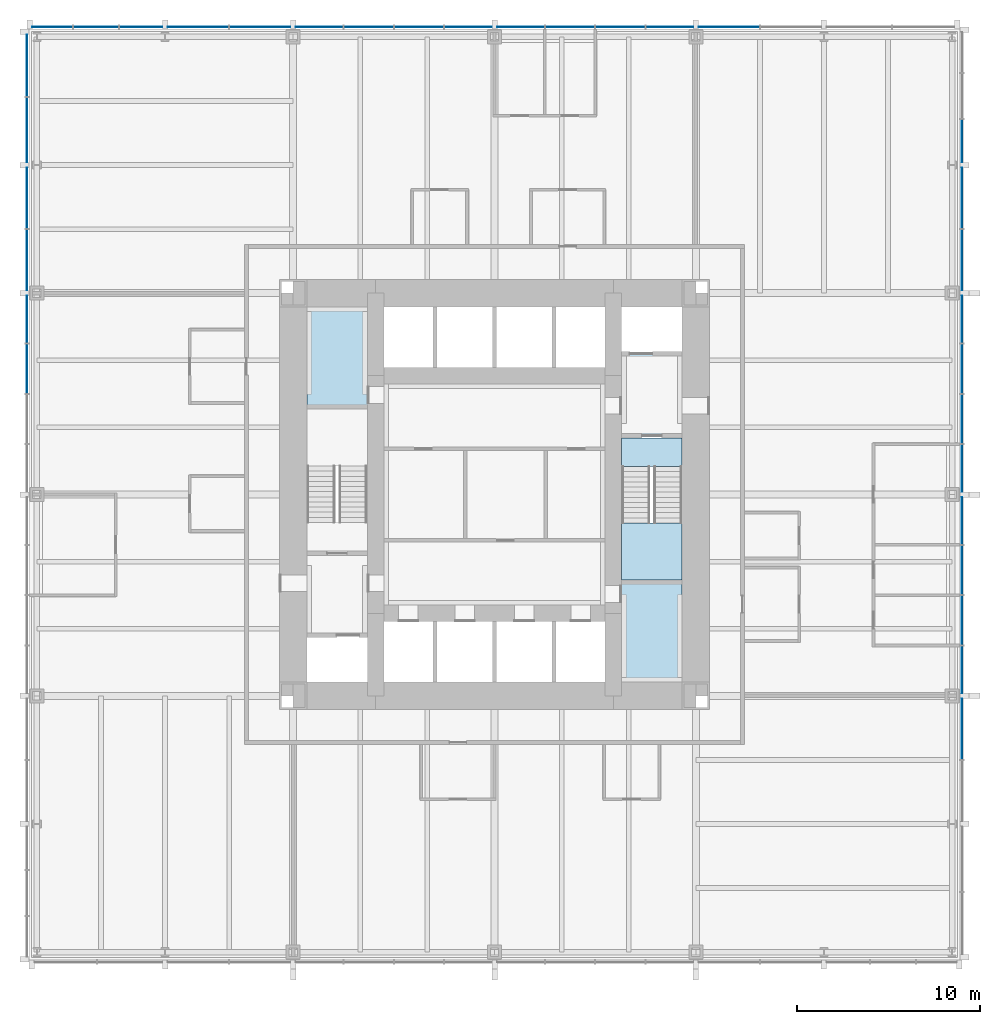
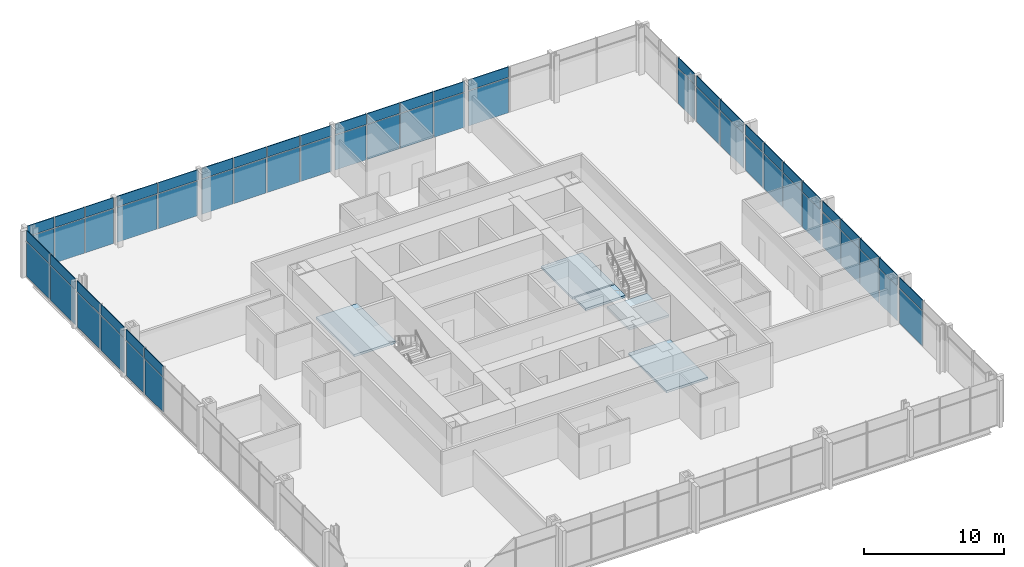
# One storey, part 8 of 12: 64 plates, 5 slabs, 4 elements without a shape of their own.
"""IFC4 building model written with IfcOpenShell, lengths in metres."""

import ifcopenshell
import ifcopenshell.guid

model = None  # the IFC model being written
_history = None  # IfcOwnerHistory: only IFC2X3 demands one
_inside = {}  # id of a spatial element -> (the spatial element, [elements in it])
_under = {}  # id of a project, library or spatial element -> (it, [spatial elements below it])
_declared = {}  # id of a project -> (the project, [libraries it declares])
_typed = {}  # id of a type object -> (the type object, [elements of that type])
_made_of = {}  # id of a material, layer set ... -> (it, [elements and type objects made of it])


def new_model(schema):
    """Start an empty IFC model of exactly this schema.

    Asked for "IFC4X3", IfcOpenShell would pick the latest addendum, in which some entities
    have other attributes; the version numbers below select the first issue.
    IFC2X3 requires an IfcOwnerHistory on every rooted entity: one is made here for all.
    """
    global model, _history
    if schema == "IFC4X3":
        model = ifcopenshell.file(schema_version=(4, 3, 0, 0))
    else:
        model = ifcopenshell.file(schema=schema)
    _inside.clear()
    _under.clear()
    _declared.clear()
    _typed.clear()
    _made_of.clear()
    _history = None
    if model.schema == "IFC2X3":
        org = make("IfcOrganization", Name="unknown")
        user = make(
            "IfcPersonAndOrganization",
            ThePerson=make("IfcPerson", FamilyName="unknown"),
            TheOrganization=org,
        )
        app = make(
            "IfcApplication",
            ApplicationDeveloper=org,
            Version="unknown",
            ApplicationFullName="unknown",
            ApplicationIdentifier="unknown",
        )
        _history = make(
            "IfcOwnerHistory",
            OwningUser=user,
            OwningApplication=app,
            ChangeAction="ADDED",
            CreationDate=0,
        )
    return model


def make(cls, **values):
    """One entity of the class cls with the attributes given. An attribute that is None is left unset."""
    return model.create_entity(
        cls, **{name: value for name, value in values.items() if value is not None}
    )


def rooted(cls, **values):
    """An entity with a GlobalId (a new one), such as an element, a storey or a relation."""
    return make(cls, GlobalId=ifcopenshell.guid.new(), OwnerHistory=_history, **values)


def si_unit(unit_type, name, prefix=None):
    """IfcSIUnit, for example si_unit("LENGTHUNIT", "METRE", prefix="MILLI")."""
    return make("IfcSIUnit", UnitType=unit_type, Prefix=prefix, Name=name)


def assignment(units):
    """IfcUnitAssignment: the units of a project."""
    return None if units is None else make("IfcUnitAssignment", Units=units)


def point(xyz):
    """IfcCartesianPoint."""
    return None if xyz is None else make("IfcCartesianPoint", Coordinates=xyz)


def direction(xyz):
    """IfcDirection."""
    return None if xyz is None else make("IfcDirection", DirectionRatios=xyz)


def frame(location, z_axis=None, x_axis=None):
    """IfcAxis2Placement3D, a coordinate frame: its origin and axes. An axis left out is left unset."""
    return make(
        "IfcAxis2Placement3D",
        Location=point(location),
        Axis=direction(z_axis),
        RefDirection=direction(x_axis),
    )


def frame_2d(location, x_axis=None):
    """IfcAxis2Placement2D, a coordinate frame in the plane: its origin and x axis."""
    return make(
        "IfcAxis2Placement2D", Location=point(location), RefDirection=direction(x_axis)
    )


def origin():
    """The frame at (0, 0, 0) with its axes left unset."""
    return frame((0.0, 0.0, 0.0))


def origin_2d():
    """The frame at (0, 0) in the plane with its x axis left unset."""
    return frame_2d((0.0, 0.0))


def place(relative_to, where):
    """IfcLocalPlacement: puts the frame where relative to a parent placement (None: the world)."""
    return make(
        "IfcLocalPlacement", PlacementRelTo=relative_to, RelativePlacement=where
    )


def context(
    kind, dimensions, precision=None, world=None, true_north=None, identifier=None
):
    """IfcGeometricRepresentationContext, for example the 3D "Model" context."""
    return make(
        "IfcGeometricRepresentationContext",
        ContextIdentifier=identifier,
        ContextType=kind,
        CoordinateSpaceDimension=dimensions,
        Precision=precision,
        WorldCoordinateSystem=world,
        TrueNorth=true_north,
    )


def subcontext(parent, identifier, kind, view, scale=None):
    """IfcGeometricRepresentationSubContext, for example "Body" below "Model"."""
    return make(
        "IfcGeometricRepresentationSubContext",
        ContextIdentifier=identifier,
        ContextType=kind,
        ParentContext=parent,
        TargetScale=scale,
        TargetView=view,
    )


def project(units=None, contexts=None):
    """IfcProject with its units and contexts."""
    return rooted(
        "IfcProject",
        Name="project",
        RepresentationContexts=contexts,
        UnitsInContext=assignment(units),
    )


def spatial(cls, under=None, at=None, **own):
    """A site, building, storey or space (cls), placed at a placement, below another one or the project."""
    s = rooted(cls, ObjectPlacement=at, **own)
    if under is not None:
        _under.setdefault(under.id(), (under, []))[1].append(s)
    return s


def polyline(points):
    """IfcPolyline through the points."""
    return make("IfcPolyline", Points=[point(p) for p in points])


def profile(cls, at=None, kind="AREA", **sizes):
    """A parametric profile (cls). Its sizes go by their IFC names, for example OverallWidth=200.0."""
    return make(cls, ProfileType=kind, Position=at, **sizes)


def rectangle(**sizes):
    """IfcRectangleProfileDef."""
    return profile("IfcRectangleProfileDef", **sizes)


def outline(outer, holes=None, kind="AREA"):
    """IfcArbitraryClosedProfileDef: a profile drawn as a closed curve; with holes, ...WithVoids."""
    if holes is None:
        return make("IfcArbitraryClosedProfileDef", ProfileType=kind, OuterCurve=outer)
    return make(
        "IfcArbitraryProfileDefWithVoids",
        ProfileType=kind,
        OuterCurve=outer,
        InnerCurves=holes,
    )


def extrude(swept, where, along, depth):
    """IfcExtrudedAreaSolid: the profile swept, set in the frame where, extruded along a direction by depth."""
    return make(
        "IfcExtrudedAreaSolid",
        SweptArea=swept,
        Position=where,
        ExtrudedDirection=direction(along),
        Depth=depth,
    )


def shape(context_of_items, identifier, shape_type, items):
    """IfcShapeRepresentation: the items that make up one representation, for example the "Body"."""
    return make(
        "IfcShapeRepresentation",
        ContextOfItems=context_of_items,
        RepresentationIdentifier=identifier,
        RepresentationType=shape_type,
        Items=items,
    )


def material(Name=None, Category=None):
    """IfcMaterial."""
    return make("IfcMaterial", Name=Name, Category=Category)


def layer(
    of_material, thickness, ventilated=None, Name=None, Category=None, Priority=None
):
    """IfcMaterialLayer: one layer of a wall or slab, of a material (None: an air gap)."""
    return make(
        "IfcMaterialLayer",
        Material=of_material,
        LayerThickness=thickness,
        IsVentilated=ventilated,
        Name=Name,
        Category=Category,
        Priority=Priority,
    )


def layer_set(layers, Name=None):
    """IfcMaterialLayerSet."""
    return make("IfcMaterialLayerSet", MaterialLayers=layers, LayerSetName=Name)


def made_of(thing, what):
    """Note that an element or type object is made of a material, layer set ...; save() writes the relation."""
    if what is not None:
        _made_of.setdefault(what.id(), (what, []))[1].append(thing)
    return thing


def type_object(cls, material=None, **own):
    """A type object (cls), such as IfcWallType, which elements share."""
    return made_of(rooted(cls, **own), material)


def element(
    cls,
    number,
    at=None,
    inside=None,
    cuts=None,
    type_object=None,
    material=None,
    context=None,
    identifier="Body",
    shape_type=None,
    held_by="IfcProductDefinitionShape",
    body=None,
    shapes=None,
    **own,
):
    """One element of the class cls, such as IfcWall. Its Tag is "e" and its number.

    at: its placement. inside: the storey or other place that contains it. cuts: it is an
    opening in that element (IfcRelVoidsElement). A single representation is given by context,
    identifier, shape_type and body (its items); several are given by shapes. held_by: the class
    of the entity that holds the representations. save() writes the other relations.
    """
    e = rooted(cls, Tag="e%d" % number, ObjectPlacement=at, **own)
    if body is not None:
        shapes = [shape(context, identifier, shape_type, body)]
    if shapes is not None:
        e.Representation = make(held_by, Representations=shapes)
    if inside is not None:
        _inside.setdefault(inside.id(), (inside, []))[1].append(e)
    if cuts is not None:
        rooted(
            "IfcRelVoidsElement", RelatingBuildingElement=cuts, RelatedOpeningElement=e
        )
    if type_object is not None:
        _typed.setdefault(type_object.id(), (type_object, []))[1].append(e)
    return made_of(e, material)


def aggregate(whole, parts):
    """IfcRelAggregates: a whole, such as a stair, and the parts it consists of."""
    return rooted("IfcRelAggregates", RelatingObject=whole, RelatedObjects=parts)


def save(model, path):
    """Write the relations noted so far, then the file.

    IfcRelAggregates (storeys below a building ...), IfcRelContainedInSpatialStructure (elements
    in a storey), IfcRelDefinesByType, IfcRelAssociatesMaterial and IfcRelDeclares: one each for
    every whole, place, type object, material and project.
    """
    for whole, parts in _under.values():
        aggregate(whole, parts)
    for where, things in _inside.values():
        rooted(
            "IfcRelContainedInSpatialStructure",
            RelatedElements=things,
            RelatingStructure=where,
        )
    for kind, things in _typed.values():
        rooted("IfcRelDefinesByType", RelatedObjects=things, RelatingType=kind)
    for what, things in _made_of.values():
        rooted("IfcRelAssociatesMaterial", RelatedObjects=things, RelatingMaterial=what)
    for by, libraries in _declared.values():
        rooted("IfcRelDeclares", RelatingContext=by, RelatedDefinitions=libraries)
    model.write(path)


model = new_model("IFC4")

# Units and contexts
model_context = context("Model", 3, precision=1e-05, world=origin(), true_north=direction((0.0, 1.0)))
body_context = subcontext(model_context, "Body", "Model", "MODEL_VIEW")
ifc_project = project(units=[si_unit("LENGTHUNIT", "METRE"), si_unit("AREAUNIT", "SQUARE_METRE"), si_unit("VOLUMEUNIT", "CUBIC_METRE"), si_unit("PLANEANGLEUNIT", "RADIAN"), si_unit("MASSUNIT", "GRAM", prefix="KILO")], contexts=[model_context])

# Site, building, storey
site_placement = place(None, origin())
site = spatial("IfcSite", under=ifc_project, at=site_placement, CompositionType="ELEMENT")
building_placement = place(site_placement, origin())
building = spatial("IfcBuilding", under=site, at=building_placement, Name="Trevanion Tower", CompositionType="ELEMENT")
storey_placement = place(building_placement, frame((0.0, 0.0, 20.10009765625)))
storey = spatial("IfcBuildingStorey", under=building, at=storey_placement, Name="L04", CompositionType="ELEMENT", Elevation=20.10009765625)

# Curtain wall, plates
ifc_material_1 = material(Name="Aluminium and glass", Category="aluminium")
curtain_wall_type = type_object("IfcCurtainWallType", Name="CW1 curtain wall", PredefinedType="USERDEFINED", material=ifc_material_1)
curtain_wall_1_placement = place(storey_placement, origin())
curtain_wall_1 = element("IfcCurtainWall", 1, at=curtain_wall_1_placement, inside=storey, type_object=curtain_wall_type, Name="CW1 L04 0", ObjectType="UNITISED CURTAIN WALL", PredefinedType="USERDEFINED")
ifc_material_2 = material(Name="Aluminium spandrel panel", Category="aluminium")
ifc_layer_1 = layer(ifc_material_2, 0.06005859375)
ifc_layer_set_1 = layer_set([ifc_layer_1], Name="CW1 spandrel panel")
plate_type_1 = type_object("IfcPlateType", Name="CW1 spandrel panel", PredefinedType="CURTAIN_PANEL", material=ifc_layer_set_1)
plate_1_placement = place(storey_placement, frame((25.550048828125, -12.806396484375, 2.997314453125), z_axis=(0.0, 0.0, 1.0), x_axis=(0.0, 1.0, 0.0)))
plate_1 = element("IfcPlate", 2, at=plate_1_placement, type_object=plate_type_1, Name="CW1 panel 4.2", PredefinedType="CURTAIN_PANEL", context=body_context, shape_type="SweptSolid", body=[
    extrude(rectangle(XDim=3.3125, YDim=0.06005859375, at=origin_2d()), origin(), (0.0, 0.0, 1.0), 0.91259765625),
])
plate_2_placement = place(storey_placement, frame((25.550048828125, -9.56884765625, 2.997314453125), z_axis=(0.0, 0.0, 1.0), x_axis=(0.0, 1.0, 0.0)))
plate_2 = element("IfcPlate", 3, at=plate_2_placement, type_object=plate_type_1, Name="CW1 panel 5.2", PredefinedType="CURTAIN_PANEL", context=body_context, shape_type="SweptSolid", body=[
    extrude(rectangle(XDim=2.5625, YDim=0.06005859375, at=origin_2d()), origin(), (0.0, 0.0, 1.0), 0.91259765625),
])
plate_3_placement = place(storey_placement, frame((25.550048828125, -6.875, 2.997314453125), z_axis=(0.0, 0.0, 1.0), x_axis=(0.0, 1.0, 0.0)))
plate_3 = element("IfcPlate", 4, at=plate_3_placement, type_object=plate_type_1, Name="CW1 panel 6.2", PredefinedType="CURTAIN_PANEL", context=body_context, shape_type="SweptSolid", body=[
    extrude(rectangle(XDim=2.675048828125, YDim=0.06005859375, at=origin_2d()), origin(), (0.0, 0.0, 1.0), 0.91259765625),
])
plate_4_placement = place(storey_placement, frame((25.550048828125, -4.125, 2.997314453125), z_axis=(0.0, 0.0, 1.0), x_axis=(0.0, 1.0, 0.0)))
plate_4 = element("IfcPlate", 5, at=plate_4_placement, type_object=plate_type_1, Name="CW1 panel 7.2", PredefinedType="CURTAIN_PANEL", context=body_context, shape_type="SweptSolid", body=[
    extrude(rectangle(XDim=2.675048828125, YDim=0.06005859375, at=origin_2d()), origin(), (0.0, 0.0, 1.0), 0.91259765625),
])
plate_5_placement = place(storey_placement, frame((25.550048828125, -1.43115234375, 2.997314453125), z_axis=(0.0, 0.0, 1.0), x_axis=(0.0, 1.0, 0.0)))
plate_5 = element("IfcPlate", 6, at=plate_5_placement, type_object=plate_type_1, Name="CW1 panel 8.2", PredefinedType="CURTAIN_PANEL", context=body_context, shape_type="SweptSolid", body=[
    extrude(rectangle(XDim=2.5625, YDim=0.06005859375, at=origin_2d()), origin(), (0.0, 0.0, 1.0), 0.91259765625),
])
plate_6_placement = place(storey_placement, frame((25.550048828125, 1.43115234375, 2.997314453125), z_axis=(0.0, 0.0, 1.0), x_axis=(0.0, 1.0, 0.0)))
plate_6 = element("IfcPlate", 7, at=plate_6_placement, type_object=plate_type_1, Name="CW1 panel 9.2", PredefinedType="CURTAIN_PANEL", context=body_context, shape_type="SweptSolid", body=[
    extrude(rectangle(XDim=2.5625, YDim=0.06005859375, at=origin_2d()), origin(), (0.0, 0.0, 1.0), 0.91259765625),
])
plate_7_placement = place(storey_placement, frame((25.550048828125, 4.125, 2.997314453125), z_axis=(0.0, 0.0, 1.0), x_axis=(0.0, 1.0, 0.0)))
plate_7 = element("IfcPlate", 8, at=plate_7_placement, type_object=plate_type_1, Name="CW1 panel 10.2", PredefinedType="CURTAIN_PANEL", context=body_context, shape_type="SweptSolid", body=[
    extrude(rectangle(XDim=2.675048828125, YDim=0.06005859375, at=origin_2d()), origin(), (0.0, 0.0, 1.0), 0.91259765625),
])
plate_8_placement = place(storey_placement, frame((25.550048828125, 6.875, 2.997314453125), z_axis=(0.0, 0.0, 1.0), x_axis=(0.0, 1.0, 0.0)))
plate_8 = element("IfcPlate", 9, at=plate_8_placement, type_object=plate_type_1, Name="CW1 panel 11.2", PredefinedType="CURTAIN_PANEL", context=body_context, shape_type="SweptSolid", body=[
    extrude(rectangle(XDim=2.675048828125, YDim=0.06005859375, at=origin_2d()), origin(), (0.0, 0.0, 1.0), 0.91259765625),
])
plate_9_placement = place(storey_placement, frame((25.550048828125, 9.56884765625, 2.997314453125), z_axis=(0.0, 0.0, 1.0), x_axis=(0.0, 1.0, 0.0)))
plate_9 = element("IfcPlate", 10, at=plate_9_placement, type_object=plate_type_1, Name="CW1 panel 12.2", PredefinedType="CURTAIN_PANEL", context=body_context, shape_type="SweptSolid", body=[
    extrude(rectangle(XDim=2.5625, YDim=0.06005859375, at=origin_2d()), origin(), (0.0, 0.0, 1.0), 0.91259765625),
])
plate_10_placement = place(storey_placement, frame((25.550048828125, 12.80615234375, 2.997314453125), z_axis=(0.0, 0.0, 1.0), x_axis=(0.0, 1.0, 0.0)))
plate_10 = element("IfcPlate", 11, at=plate_10_placement, type_object=plate_type_1, Name="CW1 panel 13.2", PredefinedType="CURTAIN_PANEL", context=body_context, shape_type="SweptSolid", body=[
    extrude(rectangle(XDim=3.3125, YDim=0.06005859375, at=origin_2d()), origin(), (0.0, 0.0, 1.0), 0.91259765625),
])
plate_11_placement = place(storey_placement, frame((25.550048828125, 16.19384765625, 2.997314453125), z_axis=(0.0, 0.0, 1.0), x_axis=(0.0, 1.0, 0.0)))
plate_11 = element("IfcPlate", 12, at=plate_11_placement, type_object=plate_type_1, Name="CW1 panel 14.2", PredefinedType="CURTAIN_PANEL", context=body_context, shape_type="SweptSolid", body=[
    extrude(rectangle(XDim=3.3125, YDim=0.06005859375, at=origin_2d()), origin(), (0.0, 0.0, 1.0), 0.91259765625),
])
plate_12_placement = place(storey_placement, frame((25.550048828125, 19.314697265625, 2.997314453125), z_axis=(0.0, 0.0, 1.0), x_axis=(0.0, 1.0, 0.0)))
plate_12 = element("IfcPlate", 13, at=plate_12_placement, type_object=plate_type_1, Name="CW1 panel 15.2", PredefinedType="CURTAIN_PANEL", context=body_context, shape_type="SweptSolid", body=[
    extrude(rectangle(XDim=2.3291015625, YDim=0.06005859375, at=origin_2d()), origin(), (0.0, 0.0, 1.0), 0.91259765625),
])

curtain_wall_2_placement = place(storey_placement, origin())
curtain_wall_2 = element("IfcCurtainWall", 14, at=curtain_wall_2_placement, inside=storey, type_object=curtain_wall_type, Name="CW1 L04 1", ObjectType="UNITISED CURTAIN WALL", PredefinedType="USERDEFINED")
plate_13_placement = place(storey_placement, frame((12.806396484375, 25.550048828125, 2.997314453125), z_axis=(0.0, 0.0, 1.0), x_axis=(-1.0, 0.0, 0.0)))
plate_13 = element("IfcPlate", 15, at=plate_13_placement, type_object=plate_type_1, Name="CW1 panel 4.2", PredefinedType="CURTAIN_PANEL", context=body_context, shape_type="SweptSolid", body=[
    extrude(rectangle(XDim=3.3125, YDim=0.06005859375, at=origin_2d()), origin(), (0.0, 0.0, 1.0), 0.91259765625),
])
plate_14_placement = place(storey_placement, frame((9.56884765625, 25.550048828125, 2.997314453125), z_axis=(0.0, 0.0, 1.0), x_axis=(-1.0, 0.0, 0.0)))
plate_14 = element("IfcPlate", 16, at=plate_14_placement, type_object=plate_type_1, Name="CW1 panel 5.2", PredefinedType="CURTAIN_PANEL", context=body_context, shape_type="SweptSolid", body=[
    extrude(rectangle(XDim=2.5625, YDim=0.06005859375, at=origin_2d()), origin(), (0.0, 0.0, 1.0), 0.91259765625),
])
plate_15_placement = place(storey_placement, frame((6.875, 25.550048828125, 2.997314453125), z_axis=(0.0, 0.0, 1.0), x_axis=(-1.0, 0.0, 0.0)))
plate_15 = element("IfcPlate", 17, at=plate_15_placement, type_object=plate_type_1, Name="CW1 panel 6.2", PredefinedType="CURTAIN_PANEL", context=body_context, shape_type="SweptSolid", body=[
    extrude(rectangle(XDim=2.675048828125, YDim=0.06005859375, at=origin_2d()), origin(), (0.0, 0.0, 1.0), 0.91259765625),
])
plate_16_placement = place(storey_placement, frame((4.125, 25.550048828125, 2.997314453125), z_axis=(0.0, 0.0, 1.0), x_axis=(-1.0, 0.0, 0.0)))
plate_16 = element("IfcPlate", 18, at=plate_16_placement, type_object=plate_type_1, Name="CW1 panel 7.2", PredefinedType="CURTAIN_PANEL", context=body_context, shape_type="SweptSolid", body=[
    extrude(rectangle(XDim=2.675048828125, YDim=0.06005859375, at=origin_2d()), origin(), (0.0, 0.0, 1.0), 0.91259765625),
])
plate_17_placement = place(storey_placement, frame((1.43115234375, 25.550048828125, 2.997314453125), z_axis=(0.0, 0.0, 1.0), x_axis=(-1.0, 0.0, 0.0)))
plate_17 = element("IfcPlate", 19, at=plate_17_placement, type_object=plate_type_1, Name="CW1 panel 8.2", PredefinedType="CURTAIN_PANEL", context=body_context, shape_type="SweptSolid", body=[
    extrude(rectangle(XDim=2.5625, YDim=0.06005859375, at=origin_2d()), origin(), (0.0, 0.0, 1.0), 0.91259765625),
])
plate_18_placement = place(storey_placement, frame((-1.43115234375, 25.550048828125, 2.997314453125), z_axis=(0.0, 0.0, 1.0), x_axis=(-1.0, 0.0, 0.0)))
plate_18 = element("IfcPlate", 20, at=plate_18_placement, type_object=plate_type_1, Name="CW1 panel 9.2", PredefinedType="CURTAIN_PANEL", context=body_context, shape_type="SweptSolid", body=[
    extrude(rectangle(XDim=2.5625, YDim=0.06005859375, at=origin_2d()), origin(), (0.0, 0.0, 1.0), 0.91259765625),
])
plate_19_placement = place(storey_placement, frame((-4.125, 25.550048828125, 2.997314453125), z_axis=(0.0, 0.0, 1.0), x_axis=(-1.0, 0.0, 0.0)))
plate_19 = element("IfcPlate", 21, at=plate_19_placement, type_object=plate_type_1, Name="CW1 panel 10.2", PredefinedType="CURTAIN_PANEL", context=body_context, shape_type="SweptSolid", body=[
    extrude(rectangle(XDim=2.675048828125, YDim=0.06005859375, at=origin_2d()), origin(), (0.0, 0.0, 1.0), 0.91259765625),
])
plate_20_placement = place(storey_placement, frame((-6.875, 25.550048828125, 2.997314453125), z_axis=(0.0, 0.0, 1.0), x_axis=(-1.0, 0.0, 0.0)))
plate_20 = element("IfcPlate", 22, at=plate_20_placement, type_object=plate_type_1, Name="CW1 panel 11.2", PredefinedType="CURTAIN_PANEL", context=body_context, shape_type="SweptSolid", body=[
    extrude(rectangle(XDim=2.675048828125, YDim=0.06005859375, at=origin_2d()), origin(), (0.0, 0.0, 1.0), 0.91259765625),
])
plate_21_placement = place(storey_placement, frame((-9.56884765625, 25.550048828125, 2.997314453125), z_axis=(0.0, 0.0, 1.0), x_axis=(-1.0, 0.0, 0.0)))
plate_21 = element("IfcPlate", 23, at=plate_21_placement, type_object=plate_type_1, Name="CW1 panel 12.2", PredefinedType="CURTAIN_PANEL", context=body_context, shape_type="SweptSolid", body=[
    extrude(rectangle(XDim=2.5625, YDim=0.06005859375, at=origin_2d()), origin(), (0.0, 0.0, 1.0), 0.91259765625),
])
plate_22_placement = place(storey_placement, frame((-12.80615234375, 25.550048828125, 2.997314453125), z_axis=(0.0, 0.0, 1.0), x_axis=(-1.0, 0.0, 0.0)))
plate_22 = element("IfcPlate", 24, at=plate_22_placement, type_object=plate_type_1, Name="CW1 panel 13.2", PredefinedType="CURTAIN_PANEL", context=body_context, shape_type="SweptSolid", body=[
    extrude(rectangle(XDim=3.3125, YDim=0.06005859375, at=origin_2d()), origin(), (0.0, 0.0, 1.0), 0.91259765625),
])
plate_23_placement = place(storey_placement, frame((-16.19384765625, 25.550048828125, 2.997314453125), z_axis=(0.0, 0.0, 1.0), x_axis=(-1.0, 0.0, 0.0)))
plate_23 = element("IfcPlate", 25, at=plate_23_placement, type_object=plate_type_1, Name="CW1 panel 14.2", PredefinedType="CURTAIN_PANEL", context=body_context, shape_type="SweptSolid", body=[
    extrude(rectangle(XDim=3.3125, YDim=0.06005859375, at=origin_2d()), origin(), (0.0, 0.0, 1.0), 0.91259765625),
])
plate_24_placement = place(storey_placement, frame((-19.314697265625, 25.550048828125, 2.997314453125), z_axis=(0.0, 0.0, 1.0), x_axis=(-1.0, 0.0, 0.0)))
plate_24 = element("IfcPlate", 26, at=plate_24_placement, type_object=plate_type_1, Name="CW1 panel 15.2", PredefinedType="CURTAIN_PANEL", context=body_context, shape_type="SweptSolid", body=[
    extrude(rectangle(XDim=2.3291015625, YDim=0.06005859375, at=origin_2d()), origin(), (0.0, 0.0, 1.0), 0.91259765625),
])
plate_25_placement = place(storey_placement, frame((-21.77490234375, 25.550048828125, 2.997314453125), z_axis=(0.0, 0.0, 1.0), x_axis=(-1.0, 0.0, 0.0)))
plate_25 = element("IfcPlate", 27, at=plate_25_placement, type_object=plate_type_1, Name="CW1 panel 16.2", PredefinedType="CURTAIN_PANEL", context=body_context, shape_type="SweptSolid", body=[
    extrude(rectangle(XDim=2.441650390625, YDim=0.06005859375, at=origin_2d()), origin(), (0.0, 0.0, 1.0), 0.91259765625),
])
plate_26_placement = place(storey_placement, frame((-24.160400390625, 25.550048828125, 2.997314453125), z_axis=(0.0, 0.0, 1.0), x_axis=(-1.0, 0.0, 0.0)))
plate_26 = element("IfcPlate", 28, at=plate_26_placement, type_object=plate_type_1, Name="CW1 panel 17.2", PredefinedType="CURTAIN_PANEL", context=body_context, shape_type="SweptSolid", body=[
    extrude(rectangle(XDim=2.17919921875, YDim=0.06005859375, at=origin_2d()), origin(), (0.0, 0.0, 1.0), 0.91259765625),
])

curtain_wall_3_placement = place(storey_placement, origin())
curtain_wall_3 = element("IfcCurtainWall", 29, at=curtain_wall_3_placement, inside=storey, type_object=curtain_wall_type, Name="CW1 L04 2", ObjectType="UNITISED CURTAIN WALL", PredefinedType="USERDEFINED")
plate_27_placement = place(storey_placement, frame((-25.550048828125, 23.433837890625, 2.997314453125), z_axis=(0.0, 0.0, 1.0), x_axis=(0.0, -1.0, 0.0)))
plate_27 = element("IfcPlate", 30, at=plate_27_placement, type_object=plate_type_1, Name="CW1 panel 1.2", PredefinedType="CURTAIN_PANEL", context=body_context, shape_type="SweptSolid", body=[
    extrude(rectangle(XDim=3.37255859375, YDim=0.06005859375, at=origin_2d()), origin(), (0.0, 0.0, 1.0), 0.91259765625),
])
plate_28_placement = place(storey_placement, frame((-25.550048828125, 19.911376953125, 2.997314453125), z_axis=(0.0, 0.0, 1.0), x_axis=(0.0, -1.0, 0.0)))
plate_28 = element("IfcPlate", 31, at=plate_28_placement, type_object=plate_type_1, Name="CW1 panel 2.2", PredefinedType="CURTAIN_PANEL", context=body_context, shape_type="SweptSolid", body=[
    extrude(rectangle(XDim=3.5224609375, YDim=0.06005859375, at=origin_2d()), origin(), (0.0, 0.0, 1.0), 0.91259765625),
])
plate_29_placement = place(storey_placement, frame((-25.550048828125, 16.19384765625, 2.997314453125), z_axis=(0.0, 0.0, 1.0), x_axis=(0.0, -1.0, 0.0)))
plate_29 = element("IfcPlate", 32, at=plate_29_placement, type_object=plate_type_1, Name="CW1 panel 3.2", PredefinedType="CURTAIN_PANEL", context=body_context, shape_type="SweptSolid", body=[
    extrude(rectangle(XDim=3.3125, YDim=0.06005859375, at=origin_2d()), origin(), (0.0, 0.0, 1.0), 0.91259765625),
])
plate_30_placement = place(storey_placement, frame((-25.550048828125, 12.806396484375, 2.997314453125), z_axis=(0.0, 0.0, 1.0), x_axis=(0.0, -1.0, 0.0)))
plate_30 = element("IfcPlate", 33, at=plate_30_placement, type_object=plate_type_1, Name="CW1 panel 4.2", PredefinedType="CURTAIN_PANEL", context=body_context, shape_type="SweptSolid", body=[
    extrude(rectangle(XDim=3.3125, YDim=0.06005859375, at=origin_2d()), origin(), (0.0, 0.0, 1.0), 0.91259765625),
])
plate_31_placement = place(storey_placement, frame((-25.550048828125, 9.56884765625, 2.997314453125), z_axis=(0.0, 0.0, 1.0), x_axis=(0.0, -1.0, 0.0)))
plate_31 = element("IfcPlate", 34, at=plate_31_placement, type_object=plate_type_1, Name="CW1 panel 5.2", PredefinedType="CURTAIN_PANEL", context=body_context, shape_type="SweptSolid", body=[
    extrude(rectangle(XDim=2.5625, YDim=0.06005859375, at=origin_2d()), origin(), (0.0, 0.0, 1.0), 0.91259765625),
])
plate_32_placement = place(storey_placement, frame((-25.550048828125, 6.875, 2.997314453125), z_axis=(0.0, 0.0, 1.0), x_axis=(0.0, -1.0, 0.0)))
plate_32 = element("IfcPlate", 35, at=plate_32_placement, type_object=plate_type_1, Name="CW1 panel 6.2", PredefinedType="CURTAIN_PANEL", context=body_context, shape_type="SweptSolid", body=[
    extrude(rectangle(XDim=2.675048828125, YDim=0.06005859375, at=origin_2d()), origin(), (0.0, 0.0, 1.0), 0.91259765625),
])

# Plate
ifc_material_3 = material(Name="Insulating glass unit", Category="glass")
ifc_layer_2 = layer(ifc_material_3, 0.028076171875)
ifc_layer_set_2 = layer_set([ifc_layer_2], Name="CW1 vision panel")
plate_type_2 = type_object("IfcPlateType", Name="CW1 vision panel", PredefinedType="CURTAIN_PANEL", material=ifc_layer_set_2)
plate_33_placement = place(storey_placement, frame((25.550048828125, -12.806396484375, -0.114990234375), z_axis=(0.0, 0.0, 1.0), x_axis=(0.0, 1.0, 0.0)))
plate_33 = element("IfcPlate", 36, at=plate_33_placement, type_object=plate_type_2, Name="CW1 panel 4.1", PredefinedType="CURTAIN_PANEL", context=body_context, shape_type="SweptSolid", body=[
    extrude(rectangle(XDim=3.3125, YDim=0.028076171875, at=origin_2d()), origin(), (0.0, 0.0, 1.0), 3.03759765625),
])

plate_34_placement = place(storey_placement, frame((25.550048828125, -9.56884765625, -0.114990234375), z_axis=(0.0, 0.0, 1.0), x_axis=(0.0, 1.0, 0.0)))
plate_34 = element("IfcPlate", 37, at=plate_34_placement, type_object=plate_type_2, Name="CW1 panel 5.1", PredefinedType="CURTAIN_PANEL", context=body_context, shape_type="SweptSolid", body=[
    extrude(rectangle(XDim=2.5625, YDim=0.028076171875, at=origin_2d()), origin(), (0.0, 0.0, 1.0), 3.03759765625),
])

plate_35_placement = place(storey_placement, frame((25.550048828125, -6.875, -0.114990234375), z_axis=(0.0, 0.0, 1.0), x_axis=(0.0, 1.0, 0.0)))
plate_35 = element("IfcPlate", 38, at=plate_35_placement, type_object=plate_type_2, Name="CW1 panel 6.1", PredefinedType="CURTAIN_PANEL", context=body_context, shape_type="SweptSolid", body=[
    extrude(rectangle(XDim=2.675048828125, YDim=0.028076171875, at=origin_2d()), origin(), (0.0, 0.0, 1.0), 3.03759765625),
])

plate_36_placement = place(storey_placement, frame((25.550048828125, -4.125, -0.114990234375), z_axis=(0.0, 0.0, 1.0), x_axis=(0.0, 1.0, 0.0)))
plate_36 = element("IfcPlate", 39, at=plate_36_placement, type_object=plate_type_2, Name="CW1 panel 7.1", PredefinedType="CURTAIN_PANEL", context=body_context, shape_type="SweptSolid", body=[
    extrude(rectangle(XDim=2.675048828125, YDim=0.028076171875, at=origin_2d()), origin(), (0.0, 0.0, 1.0), 3.03759765625),
])

plate_37_placement = place(storey_placement, frame((25.550048828125, -1.43115234375, -0.114990234375), z_axis=(0.0, 0.0, 1.0), x_axis=(0.0, 1.0, 0.0)))
plate_37 = element("IfcPlate", 40, at=plate_37_placement, type_object=plate_type_2, Name="CW1 panel 8.1", PredefinedType="CURTAIN_PANEL", context=body_context, shape_type="SweptSolid", body=[
    extrude(rectangle(XDim=2.5625, YDim=0.028076171875, at=origin_2d()), origin(), (0.0, 0.0, 1.0), 3.03759765625),
])

plate_38_placement = place(storey_placement, frame((25.550048828125, 1.43115234375, -0.114990234375), z_axis=(0.0, 0.0, 1.0), x_axis=(0.0, 1.0, 0.0)))
plate_38 = element("IfcPlate", 41, at=plate_38_placement, type_object=plate_type_2, Name="CW1 panel 9.1", PredefinedType="CURTAIN_PANEL", context=body_context, shape_type="SweptSolid", body=[
    extrude(rectangle(XDim=2.5625, YDim=0.028076171875, at=origin_2d()), origin(), (0.0, 0.0, 1.0), 3.03759765625),
])

plate_39_placement = place(storey_placement, frame((25.550048828125, 4.125, -0.114990234375), z_axis=(0.0, 0.0, 1.0), x_axis=(0.0, 1.0, 0.0)))
plate_39 = element("IfcPlate", 42, at=plate_39_placement, type_object=plate_type_2, Name="CW1 panel 10.1", PredefinedType="CURTAIN_PANEL", context=body_context, shape_type="SweptSolid", body=[
    extrude(rectangle(XDim=2.675048828125, YDim=0.028076171875, at=origin_2d()), origin(), (0.0, 0.0, 1.0), 3.03759765625),
])

plate_40_placement = place(storey_placement, frame((25.550048828125, 6.875, -0.114990234375), z_axis=(0.0, 0.0, 1.0), x_axis=(0.0, 1.0, 0.0)))
plate_40 = element("IfcPlate", 43, at=plate_40_placement, type_object=plate_type_2, Name="CW1 panel 11.1", PredefinedType="CURTAIN_PANEL", context=body_context, shape_type="SweptSolid", body=[
    extrude(rectangle(XDim=2.675048828125, YDim=0.028076171875, at=origin_2d()), origin(), (0.0, 0.0, 1.0), 3.03759765625),
])

plate_41_placement = place(storey_placement, frame((25.550048828125, 9.56884765625, -0.114990234375), z_axis=(0.0, 0.0, 1.0), x_axis=(0.0, 1.0, 0.0)))
plate_41 = element("IfcPlate", 44, at=plate_41_placement, type_object=plate_type_2, Name="CW1 panel 12.1", PredefinedType="CURTAIN_PANEL", context=body_context, shape_type="SweptSolid", body=[
    extrude(rectangle(XDim=2.5625, YDim=0.028076171875, at=origin_2d()), origin(), (0.0, 0.0, 1.0), 3.03759765625),
])

plate_42_placement = place(storey_placement, frame((25.550048828125, 12.80615234375, -0.114990234375), z_axis=(0.0, 0.0, 1.0), x_axis=(0.0, 1.0, 0.0)))
plate_42 = element("IfcPlate", 45, at=plate_42_placement, type_object=plate_type_2, Name="CW1 panel 13.1", PredefinedType="CURTAIN_PANEL", context=body_context, shape_type="SweptSolid", body=[
    extrude(rectangle(XDim=3.3125, YDim=0.028076171875, at=origin_2d()), origin(), (0.0, 0.0, 1.0), 3.03759765625),
])

plate_43_placement = place(storey_placement, frame((25.550048828125, 16.19384765625, -0.114990234375), z_axis=(0.0, 0.0, 1.0), x_axis=(0.0, 1.0, 0.0)))
plate_43 = element("IfcPlate", 46, at=plate_43_placement, type_object=plate_type_2, Name="CW1 panel 14.1", PredefinedType="CURTAIN_PANEL", context=body_context, shape_type="SweptSolid", body=[
    extrude(rectangle(XDim=3.3125, YDim=0.028076171875, at=origin_2d()), origin(), (0.0, 0.0, 1.0), 3.03759765625),
])

plate_44_placement = place(storey_placement, frame((25.550048828125, 19.314697265625, -0.114990234375), z_axis=(0.0, 0.0, 1.0), x_axis=(0.0, 1.0, 0.0)))
plate_44 = element("IfcPlate", 47, at=plate_44_placement, type_object=plate_type_2, Name="CW1 panel 15.1", PredefinedType="CURTAIN_PANEL", context=body_context, shape_type="SweptSolid", body=[
    extrude(rectangle(XDim=2.3291015625, YDim=0.028076171875, at=origin_2d()), origin(), (0.0, 0.0, 1.0), 3.03759765625),
])

aggregate(curtain_wall_1, [plate_33, plate_1, plate_34, plate_2, plate_35, plate_3, plate_36, plate_4, plate_37, plate_5, plate_38, plate_6, plate_39, plate_7, plate_40, plate_8, plate_41, plate_9, plate_42, plate_10, plate_43, plate_11, plate_44, plate_12])

plate_45_placement = place(storey_placement, frame((12.806396484375, 25.550048828125, -0.114990234375), z_axis=(0.0, 0.0, 1.0), x_axis=(-1.0, 0.0, 0.0)))
plate_45 = element("IfcPlate", 48, at=plate_45_placement, type_object=plate_type_2, Name="CW1 panel 4.1", PredefinedType="CURTAIN_PANEL", context=body_context, shape_type="SweptSolid", body=[
    extrude(rectangle(XDim=3.3125, YDim=0.028076171875, at=origin_2d()), origin(), (0.0, 0.0, 1.0), 3.03759765625),
])

plate_46_placement = place(storey_placement, frame((9.56884765625, 25.550048828125, -0.114990234375), z_axis=(0.0, 0.0, 1.0), x_axis=(-1.0, 0.0, 0.0)))
plate_46 = element("IfcPlate", 49, at=plate_46_placement, type_object=plate_type_2, Name="CW1 panel 5.1", PredefinedType="CURTAIN_PANEL", context=body_context, shape_type="SweptSolid", body=[
    extrude(rectangle(XDim=2.5625, YDim=0.028076171875, at=origin_2d()), origin(), (0.0, 0.0, 1.0), 3.03759765625),
])

plate_47_placement = place(storey_placement, frame((6.875, 25.550048828125, -0.114990234375), z_axis=(0.0, 0.0, 1.0), x_axis=(-1.0, 0.0, 0.0)))
plate_47 = element("IfcPlate", 50, at=plate_47_placement, type_object=plate_type_2, Name="CW1 panel 6.1", PredefinedType="CURTAIN_PANEL", context=body_context, shape_type="SweptSolid", body=[
    extrude(rectangle(XDim=2.675048828125, YDim=0.028076171875, at=origin_2d()), origin(), (0.0, 0.0, 1.0), 3.03759765625),
])

plate_48_placement = place(storey_placement, frame((4.125, 25.550048828125, -0.114990234375), z_axis=(0.0, 0.0, 1.0), x_axis=(-1.0, 0.0, 0.0)))
plate_48 = element("IfcPlate", 51, at=plate_48_placement, type_object=plate_type_2, Name="CW1 panel 7.1", PredefinedType="CURTAIN_PANEL", context=body_context, shape_type="SweptSolid", body=[
    extrude(rectangle(XDim=2.675048828125, YDim=0.028076171875, at=origin_2d()), origin(), (0.0, 0.0, 1.0), 3.03759765625),
])

plate_49_placement = place(storey_placement, frame((1.43115234375, 25.550048828125, -0.114990234375), z_axis=(0.0, 0.0, 1.0), x_axis=(-1.0, 0.0, 0.0)))
plate_49 = element("IfcPlate", 52, at=plate_49_placement, type_object=plate_type_2, Name="CW1 panel 8.1", PredefinedType="CURTAIN_PANEL", context=body_context, shape_type="SweptSolid", body=[
    extrude(rectangle(XDim=2.5625, YDim=0.028076171875, at=origin_2d()), origin(), (0.0, 0.0, 1.0), 3.03759765625),
])

plate_50_placement = place(storey_placement, frame((-1.43115234375, 25.550048828125, -0.114990234375), z_axis=(0.0, 0.0, 1.0), x_axis=(-1.0, 0.0, 0.0)))
plate_50 = element("IfcPlate", 53, at=plate_50_placement, type_object=plate_type_2, Name="CW1 panel 9.1", PredefinedType="CURTAIN_PANEL", context=body_context, shape_type="SweptSolid", body=[
    extrude(rectangle(XDim=2.5625, YDim=0.028076171875, at=origin_2d()), origin(), (0.0, 0.0, 1.0), 3.03759765625),
])

plate_51_placement = place(storey_placement, frame((-4.125, 25.550048828125, -0.114990234375), z_axis=(0.0, 0.0, 1.0), x_axis=(-1.0, 0.0, 0.0)))
plate_51 = element("IfcPlate", 54, at=plate_51_placement, type_object=plate_type_2, Name="CW1 panel 10.1", PredefinedType="CURTAIN_PANEL", context=body_context, shape_type="SweptSolid", body=[
    extrude(rectangle(XDim=2.675048828125, YDim=0.028076171875, at=origin_2d()), origin(), (0.0, 0.0, 1.0), 3.03759765625),
])

plate_52_placement = place(storey_placement, frame((-6.875, 25.550048828125, -0.114990234375), z_axis=(0.0, 0.0, 1.0), x_axis=(-1.0, 0.0, 0.0)))
plate_52 = element("IfcPlate", 55, at=plate_52_placement, type_object=plate_type_2, Name="CW1 panel 11.1", PredefinedType="CURTAIN_PANEL", context=body_context, shape_type="SweptSolid", body=[
    extrude(rectangle(XDim=2.675048828125, YDim=0.028076171875, at=origin_2d()), origin(), (0.0, 0.0, 1.0), 3.03759765625),
])

plate_53_placement = place(storey_placement, frame((-9.56884765625, 25.550048828125, -0.114990234375), z_axis=(0.0, 0.0, 1.0), x_axis=(-1.0, 0.0, 0.0)))
plate_53 = element("IfcPlate", 56, at=plate_53_placement, type_object=plate_type_2, Name="CW1 panel 12.1", PredefinedType="CURTAIN_PANEL", context=body_context, shape_type="SweptSolid", body=[
    extrude(rectangle(XDim=2.5625, YDim=0.028076171875, at=origin_2d()), origin(), (0.0, 0.0, 1.0), 3.03759765625),
])

plate_54_placement = place(storey_placement, frame((-12.80615234375, 25.550048828125, -0.114990234375), z_axis=(0.0, 0.0, 1.0), x_axis=(-1.0, 0.0, 0.0)))
plate_54 = element("IfcPlate", 57, at=plate_54_placement, type_object=plate_type_2, Name="CW1 panel 13.1", PredefinedType="CURTAIN_PANEL", context=body_context, shape_type="SweptSolid", body=[
    extrude(rectangle(XDim=3.3125, YDim=0.028076171875, at=origin_2d()), origin(), (0.0, 0.0, 1.0), 3.03759765625),
])

plate_55_placement = place(storey_placement, frame((-16.19384765625, 25.550048828125, -0.114990234375), z_axis=(0.0, 0.0, 1.0), x_axis=(-1.0, 0.0, 0.0)))
plate_55 = element("IfcPlate", 58, at=plate_55_placement, type_object=plate_type_2, Name="CW1 panel 14.1", PredefinedType="CURTAIN_PANEL", context=body_context, shape_type="SweptSolid", body=[
    extrude(rectangle(XDim=3.3125, YDim=0.028076171875, at=origin_2d()), origin(), (0.0, 0.0, 1.0), 3.03759765625),
])

plate_56_placement = place(storey_placement, frame((-19.314697265625, 25.550048828125, -0.114990234375), z_axis=(0.0, 0.0, 1.0), x_axis=(-1.0, 0.0, 0.0)))
plate_56 = element("IfcPlate", 59, at=plate_56_placement, type_object=plate_type_2, Name="CW1 panel 15.1", PredefinedType="CURTAIN_PANEL", context=body_context, shape_type="SweptSolid", body=[
    extrude(rectangle(XDim=2.3291015625, YDim=0.028076171875, at=origin_2d()), origin(), (0.0, 0.0, 1.0), 3.03759765625),
])

plate_57_placement = place(storey_placement, frame((-21.77490234375, 25.550048828125, -0.114990234375), z_axis=(0.0, 0.0, 1.0), x_axis=(-1.0, 0.0, 0.0)))
plate_57 = element("IfcPlate", 60, at=plate_57_placement, type_object=plate_type_2, Name="CW1 panel 16.1", PredefinedType="CURTAIN_PANEL", context=body_context, shape_type="SweptSolid", body=[
    extrude(rectangle(XDim=2.441650390625, YDim=0.028076171875, at=origin_2d()), origin(), (0.0, 0.0, 1.0), 3.03759765625),
])

plate_58_placement = place(storey_placement, frame((-24.160400390625, 25.550048828125, -0.114990234375), z_axis=(0.0, 0.0, 1.0), x_axis=(-1.0, 0.0, 0.0)))
plate_58 = element("IfcPlate", 61, at=plate_58_placement, type_object=plate_type_2, Name="CW1 panel 17.1", PredefinedType="CURTAIN_PANEL", context=body_context, shape_type="SweptSolid", body=[
    extrude(rectangle(XDim=2.17919921875, YDim=0.028076171875, at=origin_2d()), origin(), (0.0, 0.0, 1.0), 3.03759765625),
])

aggregate(curtain_wall_2, [plate_45, plate_13, plate_46, plate_14, plate_47, plate_15, plate_48, plate_16, plate_49, plate_17, plate_50, plate_18, plate_51, plate_19, plate_52, plate_20, plate_53, plate_21, plate_54, plate_22, plate_55, plate_23, plate_56, plate_24, plate_57, plate_25, plate_58, plate_26])

plate_59_placement = place(storey_placement, frame((-25.550048828125, 23.433837890625, -0.114990234375), z_axis=(0.0, 0.0, 1.0), x_axis=(0.0, -1.0, 0.0)))
plate_59 = element("IfcPlate", 62, at=plate_59_placement, type_object=plate_type_2, Name="CW1 panel 1.1", PredefinedType="CURTAIN_PANEL", context=body_context, shape_type="SweptSolid", body=[
    extrude(rectangle(XDim=3.37255859375, YDim=0.028076171875, at=origin_2d()), origin(), (0.0, 0.0, 1.0), 3.03759765625),
])

plate_60_placement = place(storey_placement, frame((-25.550048828125, 19.911376953125, -0.114990234375), z_axis=(0.0, 0.0, 1.0), x_axis=(0.0, -1.0, 0.0)))
plate_60 = element("IfcPlate", 63, at=plate_60_placement, type_object=plate_type_2, Name="CW1 panel 2.1", PredefinedType="CURTAIN_PANEL", context=body_context, shape_type="SweptSolid", body=[
    extrude(rectangle(XDim=3.5224609375, YDim=0.028076171875, at=origin_2d()), origin(), (0.0, 0.0, 1.0), 3.03759765625),
])

plate_61_placement = place(storey_placement, frame((-25.550048828125, 16.19384765625, -0.114990234375), z_axis=(0.0, 0.0, 1.0), x_axis=(0.0, -1.0, 0.0)))
plate_61 = element("IfcPlate", 64, at=plate_61_placement, type_object=plate_type_2, Name="CW1 panel 3.1", PredefinedType="CURTAIN_PANEL", context=body_context, shape_type="SweptSolid", body=[
    extrude(rectangle(XDim=3.3125, YDim=0.028076171875, at=origin_2d()), origin(), (0.0, 0.0, 1.0), 3.03759765625),
])

plate_62_placement = place(storey_placement, frame((-25.550048828125, 12.806396484375, -0.114990234375), z_axis=(0.0, 0.0, 1.0), x_axis=(0.0, -1.0, 0.0)))
plate_62 = element("IfcPlate", 65, at=plate_62_placement, type_object=plate_type_2, Name="CW1 panel 4.1", PredefinedType="CURTAIN_PANEL", context=body_context, shape_type="SweptSolid", body=[
    extrude(rectangle(XDim=3.3125, YDim=0.028076171875, at=origin_2d()), origin(), (0.0, 0.0, 1.0), 3.03759765625),
])

plate_63_placement = place(storey_placement, frame((-25.550048828125, 9.56884765625, -0.114990234375), z_axis=(0.0, 0.0, 1.0), x_axis=(0.0, -1.0, 0.0)))
plate_63 = element("IfcPlate", 66, at=plate_63_placement, type_object=plate_type_2, Name="CW1 panel 5.1", PredefinedType="CURTAIN_PANEL", context=body_context, shape_type="SweptSolid", body=[
    extrude(rectangle(XDim=2.5625, YDim=0.028076171875, at=origin_2d()), origin(), (0.0, 0.0, 1.0), 3.03759765625),
])

plate_64_placement = place(storey_placement, frame((-25.550048828125, 6.875, -0.114990234375), z_axis=(0.0, 0.0, 1.0), x_axis=(0.0, -1.0, 0.0)))
plate_64 = element("IfcPlate", 67, at=plate_64_placement, type_object=plate_type_2, Name="CW1 panel 6.1", PredefinedType="CURTAIN_PANEL", context=body_context, shape_type="SweptSolid", body=[
    extrude(rectangle(XDim=2.675048828125, YDim=0.028076171875, at=origin_2d()), origin(), (0.0, 0.0, 1.0), 3.03759765625),
])

aggregate(curtain_wall_3, [plate_59, plate_27, plate_60, plate_28, plate_61, plate_29, plate_62, plate_30, plate_63, plate_31, plate_64, plate_32])

# Slabs
ifc_material_4 = material(Name="Concrete 5,000 psi", Category="concrete")
ifc_layer_3 = layer(ifc_material_4, 0.199951171875)
ifc_layer_set_3 = layer_set([ifc_layer_3], Name="SL2 core floor 200")
slab_type_1 = type_object("IfcSlabType", Name="SL2 core floor 200", PredefinedType="FLOOR", material=ifc_layer_set_3)
slab_1_placement = place(storey_placement, frame((0.0, 0.0, -0.2001953125)))
element("IfcSlab", 68, at=slab_1_placement, inside=storey, type_object=slab_type_1, Name="SL2 L04 core floor 1", PredefinedType="FLOOR", context=body_context, shape_type="SweptSolid", body=[
    extrude(outline(polyline([(10.25, -4.804931640625), (10.25, -10.25), (6.830078125, -10.25), (6.830078125, -4.804931640625), (10.25, -4.804931640625)])), origin(), (0.0, 0.0, 1.0), 0.2001953125),
])
slab_2_placement = place(storey_placement, frame((0.0, 0.0, -0.2001953125)))
element("IfcSlab", 69, at=slab_2_placement, inside=storey, type_object=slab_type_1, Name="SL2 L04 core floor 4", PredefinedType="FLOOR", context=body_context, shape_type="SweptSolid", body=[
    extrude(outline(polyline([(6.830078125, 3.205078125), (6.830078125, 7.695068359375), (10.25, 7.695068359375), (10.25, 3.205078125), (6.830078125, 3.205078125)])), origin(), (0.0, 0.0, 1.0), 0.2001953125),
])
slab_3_placement = place(storey_placement, frame((0.0, 0.0, -0.2001953125)))
element("IfcSlab", 70, at=slab_3_placement, inside=storey, type_object=slab_type_1, Name="SL2 L04 core floor 5", PredefinedType="FLOOR", context=body_context, shape_type="SweptSolid", body=[
    extrude(outline(polyline([(-6.830078125, 4.804931640625), (-10.25, 4.804931640625), (-10.25, 10.25), (-6.830078125, 10.25), (-6.830078125, 4.804931640625)])), origin(), (0.0, 0.0, 1.0), 0.2001953125),
])

# Stair, slabs
ifc_material_5 = material(Name="Concrete 5,000 psi on steel stringers", Category="concrete")
stair_type = type_object("IfcStairType", Name="ST stair", PredefinedType="HALF_TURN_STAIR", material=ifc_material_5)
stair_placement = place(storey_placement, origin())
stair = element("IfcStair", 71, at=stair_placement, inside=storey, type_object=stair_type, Name="ST1 L04", PredefinedType="HALF_TURN_STAIR")
ifc_material_6 = material(Name="Concrete 5,000 psi in steel pan", Category="concrete")
ifc_layer_4 = layer(ifc_material_6, 0.199951171875)
ifc_layer_set_4 = layer_set([ifc_layer_4], Name="STL stair landing 200")
slab_type_2 = type_object("IfcSlabType", Name="STL stair landing 200", PredefinedType="LANDING", material=ifc_layer_set_4)
slab_4_placement = place(storey_placement, frame((0.0, 0.0, -0.2001953125)))
slab_4 = element("IfcSlab", 72, at=slab_4_placement, type_object=slab_type_2, Name="ST1 landing 1", PredefinedType="LANDING", context=body_context, shape_type="SweptSolid", body=[
    extrude(outline(polyline([(6.949951171875, 1.52490234375), (10.25, 1.52490234375), (10.25, 3.074951171875), (6.949951171875, 3.074951171875), (6.949951171875, 1.52490234375)])), origin(), (0.0, 0.0, 1.0), 0.2001953125),
])
slab_5_placement = place(storey_placement, frame((0.0, 0.0, 1.849853515625)))
slab_5 = element("IfcSlab", 73, at=slab_5_placement, type_object=slab_type_2, Name="ST1 landing 2", PredefinedType="LANDING", context=body_context, shape_type="SweptSolid", body=[
    extrude(outline(polyline([(6.949951171875, -4.675048828125), (10.25, -4.675048828125), (10.25, -1.554931640625), (6.949951171875, -1.554931640625), (6.949951171875, -4.675048828125)])), origin(), (0.0, 0.0, 1.0), 0.199951171875),
])
aggregate(stair, [slab_4, slab_5])

save(model, "model.ifc")
